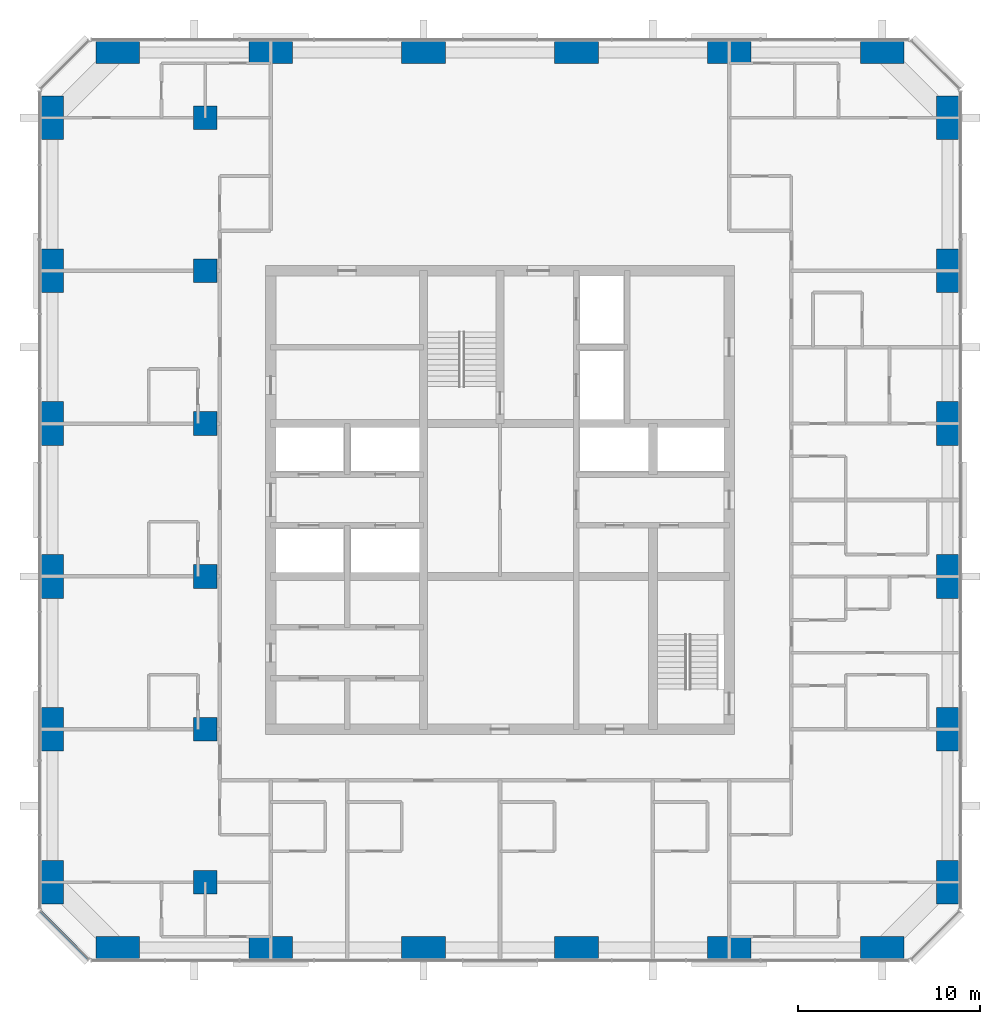
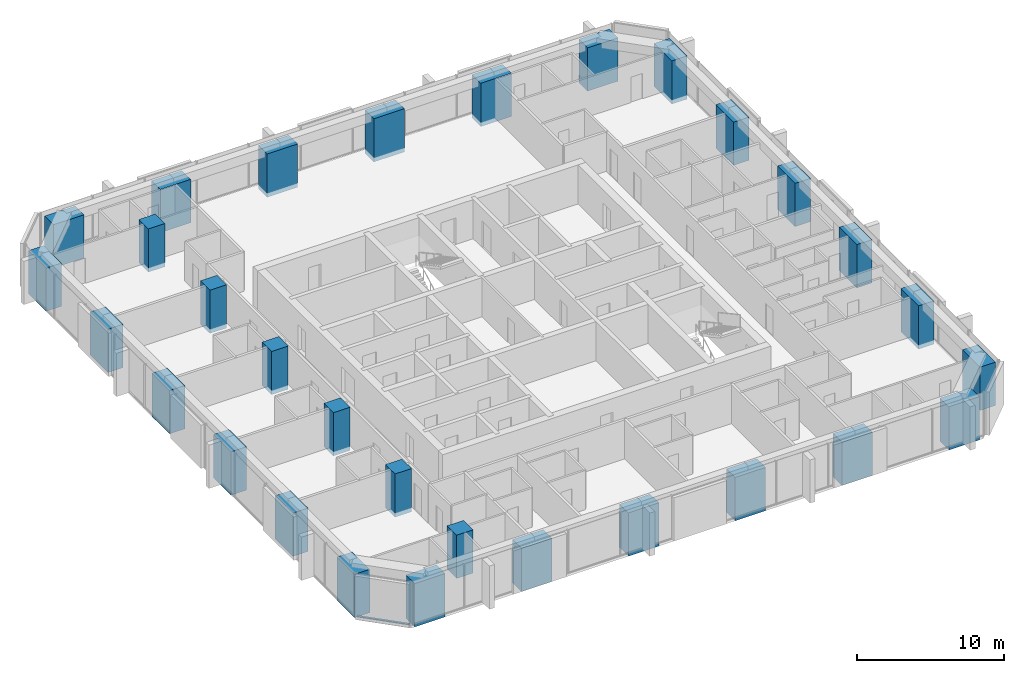
# One storey, part 1 of 13: 30 columns, 1 member, 1 element without a shape of its own.
"""IFC4 building model written with IfcOpenShell, lengths in metres."""

from ifc_helpers import new_model, si_unit, direction, frame, origin, origin_2d, place, context, subcontext, project, spatial, rectangle, extrude, material, material_profile, profile_set, type_object, element, aggregate, save


model = new_model("IFC4")

# Units and contexts
model_context = context("Model", 3, precision=1e-05, world=origin(), true_north=direction((0.0, 1.0)))
body_context = subcontext(model_context, "Body", "Model", "MODEL_VIEW")
ifc_project = project(units=[si_unit("LENGTHUNIT", "METRE"), si_unit("AREAUNIT", "SQUARE_METRE"), si_unit("VOLUMEUNIT", "CUBIC_METRE"), si_unit("PLANEANGLEUNIT", "RADIAN"), si_unit("MASSUNIT", "GRAM", prefix="KILO")], contexts=[model_context])

# Site, building, storey
site_placement = place(None, origin())
site = spatial("IfcSite", under=ifc_project, at=site_placement, CompositionType="ELEMENT")
building_placement = place(site_placement, origin())
building = spatial("IfcBuilding", under=site, at=building_placement, Name="Dunama Terrace Hotel", CompositionType="ELEMENT")
storey_placement = place(building_placement, frame((0.0, 0.0, 191.39990234375)))
storey = spatial("IfcBuildingStorey", under=building, at=storey_placement, Name="L49", CompositionType="ELEMENT", Elevation=191.39990234375)

# Columns
ifc_material_1 = material(Name="Concrete C60/75", Category="concrete")
ifc_material_profile_1 = material_profile(ifc_material_1, rectangle(XDim=1.199951171875, YDim=2.39990234375, at=origin_2d()), Name="RC 1200x2400")
ifc_profile_set_1 = profile_set([ifc_material_profile_1], Name="Concrete C60/75")
column_type_1 = type_object("IfcColumnType", Name="Column RC 1200x2400", PredefinedType="COLUMN", material=ifc_profile_set_1)
for number, where, z_axis, x_axis, name in (
    (1, (4.800048828125, 8.39990234375, -0.349853515625), (0.0, 0.0, 1.0), (1.0, 0.0, 0.0), "Column L49 +4.8/+8.4"),
    (2, (4.800048828125, 16.800048828125, -0.349853515625), (0.0, 0.0, 1.0), (1.0, 0.0, 0.0), "Column L49 +4.8/+16.8"),
    (3, (4.800048828125, 25.199951171875, -0.349853515625), (0.0, 0.0, 1.0), (1.0, 0.0, 0.0), "Column L49 +4.8/+25.2"),
    (4, (4.800048828125, 33.60009765625, -0.349853515625), (0.0, 0.0, 1.0), (1.0, 0.0, 0.0), "Column L49 +4.8/+33.6"),
    (5, (4.800048828125, 42.0, -0.349853515625), (0.0, 0.0, 1.0), (1.0, 0.0, 0.0), "Column L49 +4.8/+42.0"),
    (6, (4.800048828125, 50.39990234375, -0.349853515625), (0.0, 0.0, 1.0), (1.0, 0.0, 0.0), "Column L49 +4.8/+50.4"),
    (7, (54.0, 8.39990234375, -0.349853515625), (0.0, 0.0, 1.0), (1.0, 0.0, 0.0), "Column L49 +54.0/+8.4"),
    (8, (54.0, 16.800048828125, -0.349853515625), (0.0, 0.0, 1.0), (1.0, 0.0, 0.0), "Column L49 +54.0/+16.8"),
    (9, (54.0, 25.199951171875, -0.349853515625), (0.0, 0.0, 1.0), (1.0, 0.0, 0.0), "Column L49 +54.0/+25.2"),
    (10, (54.0, 33.60009765625, -0.349853515625), (0.0, 0.0, 1.0), (1.0, 0.0, 0.0), "Column L49 +54.0/+33.6"),
    (11, (54.0, 42.0, -0.349853515625), (0.0, 0.0, 1.0), (1.0, 0.0, 0.0), "Column L49 +54.0/+42.0"),
    (12, (54.0, 50.39990234375, -0.349853515625), (0.0, 0.0, 1.0), (1.0, 0.0, 0.0), "Column L49 +54.0/+50.4"),
):
    element("IfcColumn", number, at=place(storey_placement, frame(where, z_axis=z_axis, x_axis=x_axis)), inside=storey, type_object=column_type_1, Name=name, PredefinedType="COLUMN", context=body_context, shape_type="SweptSolid", body=[
        extrude(rectangle(XDim=1.199951171875, YDim=2.39990234375, at=origin_2d()), origin(), (0.0, 0.0, 1.0), 3.599853515625),
    ])
ifc_material_2 = material(Name="Concrete C60/75", Category="concrete")
ifc_material_profile_2 = material_profile(ifc_material_2, rectangle(XDim=1.300048828125, YDim=1.300048828125, at=origin_2d()), Name="RC 1300x1300")
ifc_profile_set_2 = profile_set([ifc_material_profile_2], Name="Concrete C60/75")
column_type_2 = type_object("IfcColumnType", Name="Column RC 1300x1300", PredefinedType="COLUMN", material=ifc_profile_set_2)
for number, where, z_axis, x_axis, name in (
    (13, (13.199951171875, 8.39990234375, -0.349853515625), (0.0, 0.0, 1.0), (1.0, 0.0, 0.0), "Column L49 +13.2/+8.4"),
    (14, (13.199951171875, 16.800048828125, -0.349853515625), (0.0, 0.0, 1.0), (1.0, 0.0, 0.0), "Column L49 +13.2/+16.8"),
    (15, (13.199951171875, 25.199951171875, -0.349853515625), (0.0, 0.0, 1.0), (1.0, 0.0, 0.0), "Column L49 +13.2/+25.2"),
    (16, (13.199951171875, 33.60009765625, -0.349853515625), (0.0, 0.0, 1.0), (1.0, 0.0, 0.0), "Column L49 +13.2/+33.6"),
    (17, (13.199951171875, 42.0, -0.349853515625), (0.0, 0.0, 1.0), (1.0, 0.0, 0.0), "Column L49 +13.2/+42.0"),
    (18, (13.199951171875, 50.39990234375, -0.349853515625), (0.0, 0.0, 1.0), (1.0, 0.0, 0.0), "Column L49 +13.2/+50.4"),
):
    element("IfcColumn", number, at=place(storey_placement, frame(where, z_axis=z_axis, x_axis=x_axis)), inside=storey, type_object=column_type_2, Name=name, PredefinedType="COLUMN", context=body_context, shape_type="SweptSolid", body=[
        extrude(rectangle(XDim=1.300048828125, YDim=1.300048828125, at=origin_2d()), origin(), (0.0, 0.0, 1.0), 3.599853515625),
    ])
ifc_material_3 = material(Name="Concrete C60/75", Category="concrete")
ifc_material_profile_3 = material_profile(ifc_material_3, rectangle(XDim=2.39990234375, YDim=1.199951171875, at=origin_2d()), Name="RC 2400x1200")
ifc_profile_set_3 = profile_set([ifc_material_profile_3], Name="Concrete C60/75")
column_type_3 = type_object("IfcColumnType", Name="Column RC 2400x1200", PredefinedType="COLUMN", material=ifc_profile_set_3)
for number, where, z_axis, x_axis, name in (
    (19, (8.39990234375, 4.800048828125, -0.349853515625), (0.0, 0.0, 1.0), (1.0, 0.0, 0.0), "Column L49 +8.4/+4.8"),
    (20, (8.39990234375, 54.0, -0.349853515625), (0.0, 0.0, 1.0), (1.0, 0.0, 0.0), "Column L49 +8.4/+54.0"),
    (21, (16.800048828125, 4.800048828125, -0.349853515625), (0.0, 0.0, 1.0), (1.0, 0.0, 0.0), "Column L49 +16.8/+4.8"),
    (22, (16.800048828125, 54.0, -0.349853515625), (0.0, 0.0, 1.0), (1.0, 0.0, 0.0), "Column L49 +16.8/+54.0"),
    (23, (25.199951171875, 4.800048828125, -0.349853515625), (0.0, 0.0, 1.0), (1.0, 0.0, 0.0), "Column L49 +25.2/+4.8"),
    (24, (25.199951171875, 54.0, -0.349853515625), (0.0, 0.0, 1.0), (1.0, 0.0, 0.0), "Column L49 +25.2/+54.0"),
    (25, (33.60009765625, 4.800048828125, -0.349853515625), (0.0, 0.0, 1.0), (1.0, 0.0, 0.0), "Column L49 +33.6/+4.8"),
    (26, (33.60009765625, 54.0, -0.349853515625), (0.0, 0.0, 1.0), (1.0, 0.0, 0.0), "Column L49 +33.6/+54.0"),
    (27, (42.0, 4.800048828125, -0.349853515625), (0.0, 0.0, 1.0), (1.0, 0.0, 0.0), "Column L49 +42.0/+4.8"),
    (28, (42.0, 54.0, -0.349853515625), (0.0, 0.0, 1.0), (1.0, 0.0, 0.0), "Column L49 +42.0/+54.0"),
    (29, (50.39990234375, 4.800048828125, -0.349853515625), (0.0, 0.0, 1.0), (1.0, 0.0, 0.0), "Column L49 +50.4/+4.8"),
    (30, (50.39990234375, 54.0, -0.349853515625), (0.0, 0.0, 1.0), (1.0, 0.0, 0.0), "Column L49 +50.4/+54.0"),
):
    element("IfcColumn", number, at=place(storey_placement, frame(where, z_axis=z_axis, x_axis=x_axis)), inside=storey, type_object=column_type_3, Name=name, PredefinedType="COLUMN", context=body_context, shape_type="SweptSolid", body=[
        extrude(rectangle(XDim=2.39990234375, YDim=1.199951171875, at=origin_2d()), origin(), (0.0, 0.0, 1.0), 3.599853515625),
    ])

# Curtain wall, member
ifc_material_4 = material(Name="Aluminium curtain wall system", Category="aluminium")
curtain_wall_type = type_object("IfcCurtainWallType", Name="Unitised fritted glass wall CW-C", PredefinedType="NOTDEFINED", material=ifc_material_4)
curtain_wall_placement = place(storey_placement, origin())
curtain_wall = element("IfcCurtainWall", 31, at=curtain_wall_placement, inside=storey, type_object=curtain_wall_type, Name="Unitised fritted glass wall CW-C L49", PredefinedType="NOTDEFINED")
ifc_material_5 = material(Name="Aluminium transom", Category="aluminium")
ifc_material_profile_4 = material_profile(ifc_material_5, rectangle(XDim=0.159912109375, YDim=0.080078125, at=origin_2d()), Name="CWC TRANSOM 160X80")
ifc_profile_set_4 = profile_set([ifc_material_profile_4], Name="Aluminium transom")
member_type = type_object("IfcMemberType", Name="CWC transom 160x80", PredefinedType="USERDEFINED", material=ifc_profile_set_4)
member_placement = place(storey_placement, frame((4.178955078125, 6.780029296875, 0.0400390625), z_axis=(0.707106781187, -0.707106781187, 0.0), x_axis=(0.707106781187, 0.707106781187, 0.0)))
member = element("IfcMember", 32, at=member_placement, type_object=member_type, Name="CWC transom", ObjectType="TRANSOM", PredefinedType="USERDEFINED", context=body_context, shape_type="SweptSolid", body=[
    extrude(rectangle(XDim=0.159912109375, YDim=0.080078125, at=origin_2d()), origin(), (0.0, 0.0, 1.0), 3.678466796875),
])
aggregate(curtain_wall, [member])

save(model, "model.ifc")
